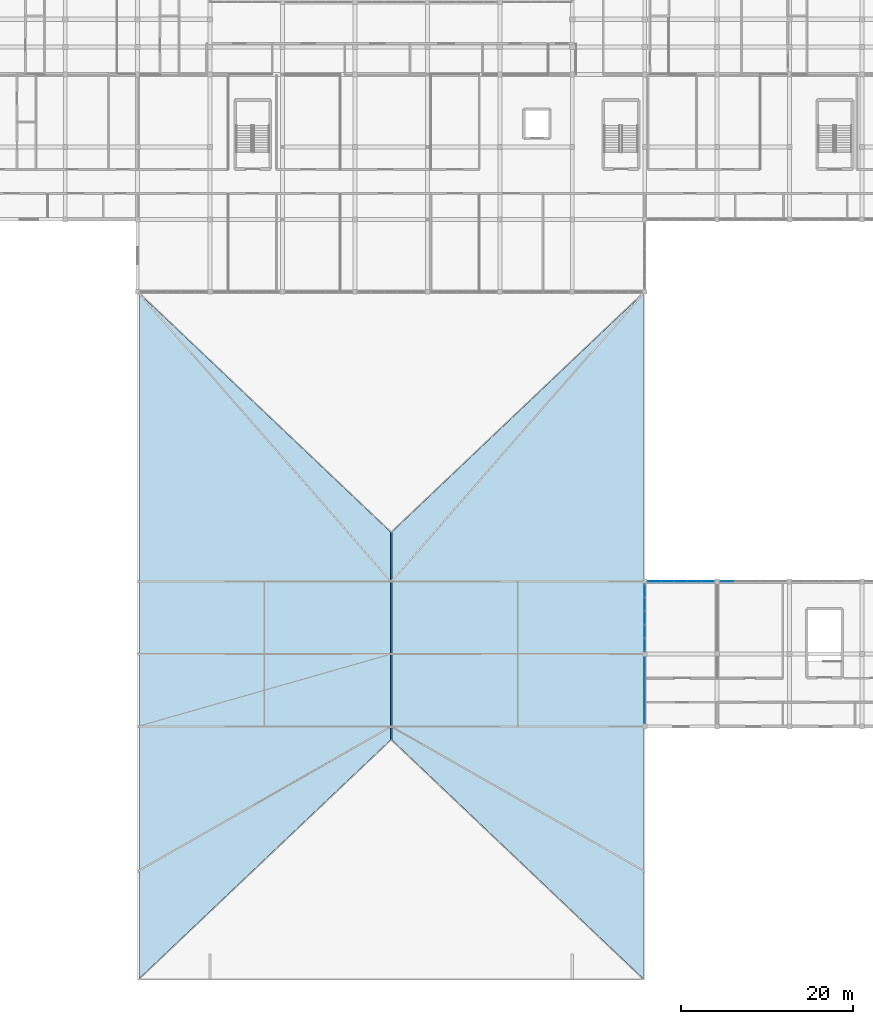
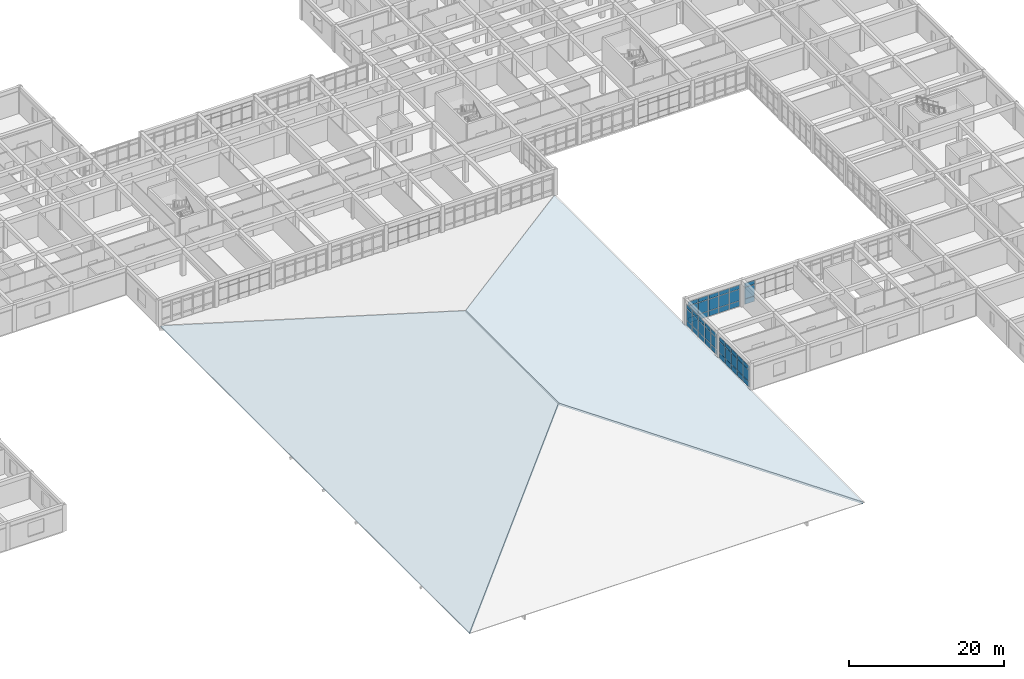
# One storey, part 33 of 77: 48 plates, 2 slabs, 4 elements without a shape of their own.
"""IFC4 building model written with IfcOpenShell, lengths in metres."""

from ifc_helpers import new_model, si_unit, direction, frame, origin, origin_2d, place, context, subcontext, project, spatial, polyline, rectangle, outline, extrude, material, layer, layer_set, type_object, element, aggregate, save


model = new_model("IFC4")

# Units and contexts
model_context = context("Model", 3, precision=1e-05, world=origin(), true_north=direction((0.0, 1.0)))
body_context = subcontext(model_context, "Body", "Model", "MODEL_VIEW")
ifc_project = project(units=[si_unit("LENGTHUNIT", "METRE"), si_unit("AREAUNIT", "SQUARE_METRE"), si_unit("VOLUMEUNIT", "CUBIC_METRE"), si_unit("PLANEANGLEUNIT", "RADIAN"), si_unit("MASSUNIT", "GRAM", prefix="KILO")], contexts=[model_context])

# Site, building, storey
site_placement = place(None, origin())
site = spatial("IfcSite", under=ifc_project, at=site_placement, CompositionType="ELEMENT")
building_placement = place(site_placement, origin())
building = spatial("IfcBuilding", under=site, at=building_placement, Name="Varncliffe General Hospital", CompositionType="ELEMENT")
storey_placement = place(building_placement, frame((0.0, 0.0, 16.199951171875)))
storey = spatial("IfcBuildingStorey", under=building, at=storey_placement, Name="L03", CompositionType="ELEMENT", Elevation=16.199951171875)

# Curtain wall, plates
ifc_material_1 = material(Name="Triple low-E argon insulated vision glazing", Category="glass")
curtain_wall_type_1 = type_object("IfcCurtainWallType", Name="Unitised Glazed Curtain Wall CW23 (7774x3440)", PredefinedType="USERDEFINED", material=ifc_material_1)
curtain_wall_1_placement = place(storey_placement, origin())
curtain_wall_1 = element("IfcCurtainWall", 1, at=curtain_wall_1_placement, inside=storey, type_object=curtain_wall_type_1, Name="L03 Glazed Curtain Wall CW23-160", ObjectType="GLAZED CURTAIN WALL", PredefinedType="USERDEFINED")
ifc_layer_1 = layer(ifc_material_1, 0.035888671875)
ifc_layer_set_1 = layer_set([ifc_layer_1], Name="Triple low-E argon insulated vision glazing")
plate_type_1 = type_object("IfcPlateType", Name="Curtain Wall Glazing Panel CP27 (36mm)", PredefinedType="CURTAIN_PANEL", material=ifc_layer_set_1)
plate_1_placement = place(storey_placement, frame((118.709228515625, 40.800048828125, 0.06005859375), z_axis=(0.0, 0.0, 1.0), x_axis=(1.0, 0.0, 0.0)))
plate_1 = element("IfcPlate", 2, at=plate_1_placement, type_object=plate_type_1, Name="CW23 panel 1.1", PredefinedType="CURTAIN_PANEL", context=body_context, shape_type="SweptSolid", body=[
    extrude(rectangle(XDim=1.4423828125, YDim=0.035888671875, at=origin_2d()), origin(), (0.0, 0.0, 1.0), 0.81005859375),
])
plate_2_placement = place(storey_placement, frame((118.709228515625, 40.800048828125, 0.93017578125), z_axis=(0.0, 0.0, 1.0), x_axis=(1.0, 0.0, 0.0)))
plate_2 = element("IfcPlate", 3, at=plate_2_placement, type_object=plate_type_1, Name="CW23 panel 1.2", PredefinedType="CURTAIN_PANEL", context=body_context, shape_type="SweptSolid", body=[
    extrude(rectangle(XDim=1.4423828125, YDim=0.035888671875, at=origin_2d()), origin(), (0.0, 0.0, 1.0), 1.780029296875),
])
plate_3_placement = place(storey_placement, frame((118.709228515625, 40.800048828125, 2.77001953125), z_axis=(0.0, 0.0, 1.0), x_axis=(1.0, 0.0, 0.0)))
plate_3 = element("IfcPlate", 4, at=plate_3_placement, type_object=plate_type_1, Name="CW23 panel 1.3", PredefinedType="CURTAIN_PANEL", context=body_context, shape_type="SweptSolid", body=[
    extrude(rectangle(XDim=1.4423828125, YDim=0.035888671875, at=origin_2d()), origin(), (0.0, 0.0, 1.0), 0.610107421875),
])
plate_4_placement = place(storey_placement, frame((120.2451171875, 40.800048828125, 0.06005859375), z_axis=(0.0, 0.0, 1.0), x_axis=(1.0, 0.0, 0.0)))
plate_4 = element("IfcPlate", 5, at=plate_4_placement, type_object=plate_type_1, Name="CW23 panel 2.1", PredefinedType="CURTAIN_PANEL", context=body_context, shape_type="SweptSolid", body=[
    extrude(rectangle(XDim=1.479736328125, YDim=0.035888671875, at=origin_2d()), origin(), (0.0, 0.0, 1.0), 0.81005859375),
])
plate_5_placement = place(storey_placement, frame((120.2451171875, 40.800048828125, 0.93017578125), z_axis=(0.0, 0.0, 1.0), x_axis=(1.0, 0.0, 0.0)))
plate_5 = element("IfcPlate", 6, at=plate_5_placement, type_object=plate_type_1, Name="CW23 panel 2.2", PredefinedType="CURTAIN_PANEL", context=body_context, shape_type="SweptSolid", body=[
    extrude(rectangle(XDim=1.479736328125, YDim=0.035888671875, at=origin_2d()), origin(), (0.0, 0.0, 1.0), 1.780029296875),
])
plate_6_placement = place(storey_placement, frame((120.2451171875, 40.800048828125, 2.77001953125), z_axis=(0.0, 0.0, 1.0), x_axis=(1.0, 0.0, 0.0)))
plate_6 = element("IfcPlate", 7, at=plate_6_placement, type_object=plate_type_1, Name="CW23 panel 2.3", PredefinedType="CURTAIN_PANEL", context=body_context, shape_type="SweptSolid", body=[
    extrude(rectangle(XDim=1.479736328125, YDim=0.035888671875, at=origin_2d()), origin(), (0.0, 0.0, 1.0), 0.610107421875),
])
plate_7_placement = place(storey_placement, frame((121.800048828125, 40.800048828125, 0.06005859375), z_axis=(0.0, 0.0, 1.0), x_axis=(1.0, 0.0, 0.0)))
plate_7 = element("IfcPlate", 8, at=plate_7_placement, type_object=plate_type_1, Name="CW23 panel 3.1", PredefinedType="CURTAIN_PANEL", context=body_context, shape_type="SweptSolid", body=[
    extrude(rectangle(XDim=1.479736328125, YDim=0.035888671875, at=origin_2d()), origin(), (0.0, 0.0, 1.0), 0.81005859375),
])
plate_8_placement = place(storey_placement, frame((121.800048828125, 40.800048828125, 0.93017578125), z_axis=(0.0, 0.0, 1.0), x_axis=(1.0, 0.0, 0.0)))
plate_8 = element("IfcPlate", 9, at=plate_8_placement, type_object=plate_type_1, Name="CW23 panel 3.2", PredefinedType="CURTAIN_PANEL", context=body_context, shape_type="SweptSolid", body=[
    extrude(rectangle(XDim=1.479736328125, YDim=0.035888671875, at=origin_2d()), origin(), (0.0, 0.0, 1.0), 1.780029296875),
])
plate_9_placement = place(storey_placement, frame((121.800048828125, 40.800048828125, 2.77001953125), z_axis=(0.0, 0.0, 1.0), x_axis=(1.0, 0.0, 0.0)))
plate_9 = element("IfcPlate", 10, at=plate_9_placement, type_object=plate_type_1, Name="CW23 panel 3.3", PredefinedType="CURTAIN_PANEL", context=body_context, shape_type="SweptSolid", body=[
    extrude(rectangle(XDim=1.479736328125, YDim=0.035888671875, at=origin_2d()), origin(), (0.0, 0.0, 1.0), 0.610107421875),
])
plate_10_placement = place(storey_placement, frame((123.354736328125, 40.800048828125, 0.06005859375), z_axis=(0.0, 0.0, 1.0), x_axis=(1.0, 0.0, 0.0)))
plate_10 = element("IfcPlate", 11, at=plate_10_placement, type_object=plate_type_1, Name="CW23 panel 4.1", PredefinedType="CURTAIN_PANEL", context=body_context, shape_type="SweptSolid", body=[
    extrude(rectangle(XDim=1.479736328125, YDim=0.035888671875, at=origin_2d()), origin(), (0.0, 0.0, 1.0), 0.81005859375),
])
plate_11_placement = place(storey_placement, frame((123.354736328125, 40.800048828125, 0.93017578125), z_axis=(0.0, 0.0, 1.0), x_axis=(1.0, 0.0, 0.0)))
plate_11 = element("IfcPlate", 12, at=plate_11_placement, type_object=plate_type_1, Name="CW23 panel 4.2", PredefinedType="CURTAIN_PANEL", context=body_context, shape_type="SweptSolid", body=[
    extrude(rectangle(XDim=1.479736328125, YDim=0.035888671875, at=origin_2d()), origin(), (0.0, 0.0, 1.0), 1.780029296875),
])
plate_12_placement = place(storey_placement, frame((123.354736328125, 40.800048828125, 2.77001953125), z_axis=(0.0, 0.0, 1.0), x_axis=(1.0, 0.0, 0.0)))
plate_12 = element("IfcPlate", 13, at=plate_12_placement, type_object=plate_type_1, Name="CW23 panel 4.3", PredefinedType="CURTAIN_PANEL", context=body_context, shape_type="SweptSolid", body=[
    extrude(rectangle(XDim=1.479736328125, YDim=0.035888671875, at=origin_2d()), origin(), (0.0, 0.0, 1.0), 0.610107421875),
])
plate_13_placement = place(storey_placement, frame((124.890869140625, 40.800048828125, 0.06005859375), z_axis=(0.0, 0.0, 1.0), x_axis=(1.0, 0.0, 0.0)))
plate_13 = element("IfcPlate", 14, at=plate_13_placement, type_object=plate_type_1, Name="CW23 panel 5.1", PredefinedType="CURTAIN_PANEL", context=body_context, shape_type="SweptSolid", body=[
    extrude(rectangle(XDim=1.4423828125, YDim=0.035888671875, at=origin_2d()), origin(), (0.0, 0.0, 1.0), 0.81005859375),
])
plate_14_placement = place(storey_placement, frame((124.890869140625, 40.800048828125, 0.93017578125), z_axis=(0.0, 0.0, 1.0), x_axis=(1.0, 0.0, 0.0)))
plate_14 = element("IfcPlate", 15, at=plate_14_placement, type_object=plate_type_1, Name="CW23 panel 5.2", PredefinedType="CURTAIN_PANEL", context=body_context, shape_type="SweptSolid", body=[
    extrude(rectangle(XDim=1.4423828125, YDim=0.035888671875, at=origin_2d()), origin(), (0.0, 0.0, 1.0), 1.780029296875),
])
plate_15_placement = place(storey_placement, frame((124.890869140625, 40.800048828125, 2.77001953125), z_axis=(0.0, 0.0, 1.0), x_axis=(1.0, 0.0, 0.0)))
plate_15 = element("IfcPlate", 16, at=plate_15_placement, type_object=plate_type_1, Name="CW23 panel 5.3", PredefinedType="CURTAIN_PANEL", context=body_context, shape_type="SweptSolid", body=[
    extrude(rectangle(XDim=1.4423828125, YDim=0.035888671875, at=origin_2d()), origin(), (0.0, 0.0, 1.0), 0.610107421875),
])
aggregate(curtain_wall_1, [plate_1, plate_2, plate_3, plate_4, plate_5, plate_6, plate_7, plate_8, plate_9, plate_10, plate_11, plate_12, plate_13, plate_14, plate_15])

curtain_wall_type_2 = type_object("IfcCurtainWallType", Name="Unitised Glazed Curtain Wall CW37 (7694x3440)", PredefinedType="USERDEFINED", material=ifc_material_1)
curtain_wall_2_placement = place(storey_placement, origin())
curtain_wall_2 = element("IfcCurtainWall", 17, at=curtain_wall_2_placement, inside=storey, type_object=curtain_wall_type_2, Name="L03 Glazed Curtain Wall CW37-158", ObjectType="GLAZED CURTAIN WALL", PredefinedType="USERDEFINED")
ifc_material_2 = material(Name="Insulated ceramic-fritted spandrel glazing panel", Category="glass")
ifc_layer_2 = layer(ifc_material_2, 0.06396484375)
ifc_layer_set_2 = layer_set([ifc_layer_2], Name="Insulated ceramic-fritted spandrel glazing panel")
plate_type_2 = type_object("IfcPlateType", Name="Curtain Wall Glazing Panel CP41 (64mm)", PredefinedType="CURTAIN_PANEL", material=ifc_layer_set_2)
plate_16_placement = place(storey_placement, frame((117.60009765625, 25.138671875, 0.06005859375), z_axis=(0.0, 0.0, 1.0), x_axis=(0.0, 1.0, 0.0)))
plate_16 = element("IfcPlate", 18, at=plate_16_placement, type_object=plate_type_2, Name="CW37 panel 1.1", PredefinedType="CURTAIN_PANEL", context=body_context, shape_type="SweptSolid", body=[
    extrude(rectangle(XDim=1.44140625, YDim=0.06396484375, at=origin_2d()), origin(), (0.0, 0.0, 1.0), 0.81005859375),
])
plate_17_placement = place(storey_placement, frame((117.60009765625, 25.138671875, 0.93017578125), z_axis=(0.0, 0.0, 1.0), x_axis=(0.0, 1.0, 0.0)))
plate_17 = element("IfcPlate", 19, at=plate_17_placement, type_object=plate_type_2, Name="CW37 panel 1.2", PredefinedType="CURTAIN_PANEL", context=body_context, shape_type="SweptSolid", body=[
    extrude(rectangle(XDim=1.44140625, YDim=0.06396484375, at=origin_2d()), origin(), (0.0, 0.0, 1.0), 1.780029296875),
])
plate_18_placement = place(storey_placement, frame((117.60009765625, 25.138671875, 2.77001953125), z_axis=(0.0, 0.0, 1.0), x_axis=(0.0, 1.0, 0.0)))
plate_18 = element("IfcPlate", 20, at=plate_18_placement, type_object=plate_type_2, Name="CW37 panel 1.3", PredefinedType="CURTAIN_PANEL", context=body_context, shape_type="SweptSolid", body=[
    extrude(rectangle(XDim=1.44140625, YDim=0.06396484375, at=origin_2d()), origin(), (0.0, 0.0, 1.0), 0.610107421875),
])
plate_19_placement = place(storey_placement, frame((117.60009765625, 26.6611328125, 0.06005859375), z_axis=(0.0, 0.0, 1.0), x_axis=(0.0, 1.0, 0.0)))
plate_19 = element("IfcPlate", 21, at=plate_19_placement, type_object=plate_type_2, Name="CW37 panel 2.1", PredefinedType="CURTAIN_PANEL", context=body_context, shape_type="SweptSolid", body=[
    extrude(rectangle(XDim=1.473876953125, YDim=0.06396484375, at=origin_2d()), origin(), (0.0, 0.0, 1.0), 0.81005859375),
])
plate_20_placement = place(storey_placement, frame((117.60009765625, 26.6611328125, 0.93017578125), z_axis=(0.0, 0.0, 1.0), x_axis=(0.0, 1.0, 0.0)))
plate_20 = element("IfcPlate", 22, at=plate_20_placement, type_object=plate_type_2, Name="CW37 panel 2.2", PredefinedType="CURTAIN_PANEL", context=body_context, shape_type="SweptSolid", body=[
    extrude(rectangle(XDim=1.473876953125, YDim=0.06396484375, at=origin_2d()), origin(), (0.0, 0.0, 1.0), 1.780029296875),
])
plate_21_placement = place(storey_placement, frame((117.60009765625, 26.6611328125, 2.77001953125), z_axis=(0.0, 0.0, 1.0), x_axis=(0.0, 1.0, 0.0)))
plate_21 = element("IfcPlate", 23, at=plate_21_placement, type_object=plate_type_2, Name="CW37 panel 2.3", PredefinedType="CURTAIN_PANEL", context=body_context, shape_type="SweptSolid", body=[
    extrude(rectangle(XDim=1.473876953125, YDim=0.06396484375, at=origin_2d()), origin(), (0.0, 0.0, 1.0), 0.610107421875),
])
plate_22_placement = place(storey_placement, frame((117.60009765625, 28.199951171875, 0.06005859375), z_axis=(0.0, 0.0, 1.0), x_axis=(0.0, 1.0, 0.0)))
plate_22 = element("IfcPlate", 24, at=plate_22_placement, type_object=plate_type_2, Name="CW37 panel 3.1", PredefinedType="CURTAIN_PANEL", context=body_context, shape_type="SweptSolid", body=[
    extrude(rectangle(XDim=1.473876953125, YDim=0.06396484375, at=origin_2d()), origin(), (0.0, 0.0, 1.0), 0.81005859375),
])
plate_23_placement = place(storey_placement, frame((117.60009765625, 28.199951171875, 0.93017578125), z_axis=(0.0, 0.0, 1.0), x_axis=(0.0, 1.0, 0.0)))
plate_23 = element("IfcPlate", 25, at=plate_23_placement, type_object=plate_type_2, Name="CW37 panel 3.2", PredefinedType="CURTAIN_PANEL", context=body_context, shape_type="SweptSolid", body=[
    extrude(rectangle(XDim=1.473876953125, YDim=0.06396484375, at=origin_2d()), origin(), (0.0, 0.0, 1.0), 1.780029296875),
])
plate_24_placement = place(storey_placement, frame((117.60009765625, 28.199951171875, 2.77001953125), z_axis=(0.0, 0.0, 1.0), x_axis=(0.0, 1.0, 0.0)))
plate_24 = element("IfcPlate", 26, at=plate_24_placement, type_object=plate_type_2, Name="CW37 panel 3.3", PredefinedType="CURTAIN_PANEL", context=body_context, shape_type="SweptSolid", body=[
    extrude(rectangle(XDim=1.473876953125, YDim=0.06396484375, at=origin_2d()), origin(), (0.0, 0.0, 1.0), 0.610107421875),
])
plate_25_placement = place(storey_placement, frame((117.60009765625, 29.73876953125, 0.06005859375), z_axis=(0.0, 0.0, 1.0), x_axis=(0.0, 1.0, 0.0)))
plate_25 = element("IfcPlate", 27, at=plate_25_placement, type_object=plate_type_2, Name="CW37 panel 4.1", PredefinedType="CURTAIN_PANEL", context=body_context, shape_type="SweptSolid", body=[
    extrude(rectangle(XDim=1.473876953125, YDim=0.06396484375, at=origin_2d()), origin(), (0.0, 0.0, 1.0), 0.81005859375),
])
plate_26_placement = place(storey_placement, frame((117.60009765625, 29.73876953125, 0.93017578125), z_axis=(0.0, 0.0, 1.0), x_axis=(0.0, 1.0, 0.0)))
plate_26 = element("IfcPlate", 28, at=plate_26_placement, type_object=plate_type_2, Name="CW37 panel 4.2", PredefinedType="CURTAIN_PANEL", context=body_context, shape_type="SweptSolid", body=[
    extrude(rectangle(XDim=1.473876953125, YDim=0.06396484375, at=origin_2d()), origin(), (0.0, 0.0, 1.0), 1.780029296875),
])
plate_27_placement = place(storey_placement, frame((117.60009765625, 29.73876953125, 2.77001953125), z_axis=(0.0, 0.0, 1.0), x_axis=(0.0, 1.0, 0.0)))
plate_27 = element("IfcPlate", 29, at=plate_27_placement, type_object=plate_type_2, Name="CW37 panel 4.3", PredefinedType="CURTAIN_PANEL", context=body_context, shape_type="SweptSolid", body=[
    extrude(rectangle(XDim=1.473876953125, YDim=0.06396484375, at=origin_2d()), origin(), (0.0, 0.0, 1.0), 0.610107421875),
])
plate_28_placement = place(storey_placement, frame((117.60009765625, 31.26123046875, 0.06005859375), z_axis=(0.0, 0.0, 1.0), x_axis=(0.0, 1.0, 0.0)))
plate_28 = element("IfcPlate", 30, at=plate_28_placement, type_object=plate_type_2, Name="CW37 panel 5.1", PredefinedType="CURTAIN_PANEL", context=body_context, shape_type="SweptSolid", body=[
    extrude(rectangle(XDim=1.44140625, YDim=0.06396484375, at=origin_2d()), origin(), (0.0, 0.0, 1.0), 0.81005859375),
])
plate_29_placement = place(storey_placement, frame((117.60009765625, 31.26123046875, 0.93017578125), z_axis=(0.0, 0.0, 1.0), x_axis=(0.0, 1.0, 0.0)))
plate_29 = element("IfcPlate", 31, at=plate_29_placement, type_object=plate_type_2, Name="CW37 panel 5.2", PredefinedType="CURTAIN_PANEL", context=body_context, shape_type="SweptSolid", body=[
    extrude(rectangle(XDim=1.44140625, YDim=0.06396484375, at=origin_2d()), origin(), (0.0, 0.0, 1.0), 1.780029296875),
])
plate_30_placement = place(storey_placement, frame((117.60009765625, 31.26123046875, 2.77001953125), z_axis=(0.0, 0.0, 1.0), x_axis=(0.0, 1.0, 0.0)))
plate_30 = element("IfcPlate", 32, at=plate_30_placement, type_object=plate_type_2, Name="CW37 panel 5.3", PredefinedType="CURTAIN_PANEL", context=body_context, shape_type="SweptSolid", body=[
    extrude(rectangle(XDim=1.44140625, YDim=0.06396484375, at=origin_2d()), origin(), (0.0, 0.0, 1.0), 0.610107421875),
])
aggregate(curtain_wall_2, [plate_16, plate_17, plate_18, plate_19, plate_20, plate_21, plate_22, plate_23, plate_24, plate_25, plate_26, plate_27, plate_28, plate_29, plate_30])

curtain_wall_3_placement = place(storey_placement, origin())
curtain_wall_3 = element("IfcCurtainWall", 33, at=curtain_wall_3_placement, inside=storey, type_object=curtain_wall_type_2, Name="L03 Glazed Curtain Wall CW37-161", ObjectType="GLAZED CURTAIN WALL", PredefinedType="USERDEFINED")
plate_31_placement = place(storey_placement, frame((127.138671875, 40.800048828125, 0.06005859375), z_axis=(0.0, 0.0, 1.0), x_axis=(1.0, 0.0, 0.0)))
plate_31 = element("IfcPlate", 34, at=plate_31_placement, type_object=plate_type_2, Name="CW37 panel 1.1", PredefinedType="CURTAIN_PANEL", context=body_context, shape_type="SweptSolid", body=[
    extrude(rectangle(XDim=1.44140625, YDim=0.06396484375, at=origin_2d()), origin(), (0.0, 0.0, 1.0), 0.81005859375),
])
plate_32_placement = place(storey_placement, frame((127.138671875, 40.800048828125, 0.93017578125), z_axis=(0.0, 0.0, 1.0), x_axis=(1.0, 0.0, 0.0)))
plate_32 = element("IfcPlate", 35, at=plate_32_placement, type_object=plate_type_2, Name="CW37 panel 1.2", PredefinedType="CURTAIN_PANEL", context=body_context, shape_type="SweptSolid", body=[
    extrude(rectangle(XDim=1.44140625, YDim=0.06396484375, at=origin_2d()), origin(), (0.0, 0.0, 1.0), 1.780029296875),
])
plate_33_placement = place(storey_placement, frame((127.138671875, 40.800048828125, 2.77001953125), z_axis=(0.0, 0.0, 1.0), x_axis=(1.0, 0.0, 0.0)))
plate_33 = element("IfcPlate", 36, at=plate_33_placement, type_object=plate_type_2, Name="CW37 panel 1.3", PredefinedType="CURTAIN_PANEL", context=body_context, shape_type="SweptSolid", body=[
    extrude(rectangle(XDim=1.44140625, YDim=0.06396484375, at=origin_2d()), origin(), (0.0, 0.0, 1.0), 0.610107421875),
])
aggregate(curtain_wall_3, [plate_31, plate_32, plate_33])

curtain_wall_type_3 = type_object("IfcCurtainWallType", Name="Unitised Glazed Curtain Wall CW83 (7854x3440)", PredefinedType="USERDEFINED", material=ifc_material_1)
curtain_wall_4_placement = place(storey_placement, origin())
curtain_wall_4 = element("IfcCurtainWall", 37, at=curtain_wall_4_placement, inside=storey, type_object=curtain_wall_type_3, Name="L03 Glazed Curtain Wall CW83-159", ObjectType="GLAZED CURTAIN WALL", PredefinedType="USERDEFINED")
ifc_layer_3 = layer(ifc_material_1, 0.028076171875)
ifc_layer_set_3 = layer_set([ifc_layer_3], Name="Triple low-E argon insulated vision glazing")
plate_type_3 = type_object("IfcPlateType", Name="Curtain Wall Glazing Panel CP48 (28mm)", PredefinedType="CURTAIN_PANEL", material=ifc_layer_set_3)
plate_34_placement = place(storey_placement, frame((117.60009765625, 33.47705078125, 0.06494140625), z_axis=(0.0, 0.0, 1.0), x_axis=(0.0, 1.0, 0.0)))
plate_34 = element("IfcPlate", 38, at=plate_34_placement, type_object=plate_type_3, Name="CW83 panel 1.1", PredefinedType="CURTAIN_PANEL", context=body_context, shape_type="SweptSolid", body=[
    extrude(rectangle(XDim=1.458251953125, YDim=0.028076171875, at=origin_2d()), origin(), (0.0, 0.0, 1.0), 0.802490234375),
])
plate_35_placement = place(storey_placement, frame((117.60009765625, 33.47705078125, 0.9326171875), z_axis=(0.0, 0.0, 1.0), x_axis=(0.0, 1.0, 0.0)))
plate_35 = element("IfcPlate", 39, at=plate_35_placement, type_object=plate_type_3, Name="CW83 panel 1.2", PredefinedType="CURTAIN_PANEL", context=body_context, shape_type="SweptSolid", body=[
    extrude(rectangle(XDim=1.458251953125, YDim=0.028076171875, at=origin_2d()), origin(), (0.0, 0.0, 1.0), 1.77490234375),
])
plate_36_placement = place(storey_placement, frame((117.60009765625, 33.47705078125, 2.7724609375), z_axis=(0.0, 0.0, 1.0), x_axis=(0.0, 1.0, 0.0)))
plate_36 = element("IfcPlate", 40, at=plate_36_placement, type_object=plate_type_3, Name="CW83 panel 1.3", PredefinedType="CURTAIN_PANEL", context=body_context, shape_type="SweptSolid", body=[
    extrude(rectangle(XDim=1.458251953125, YDim=0.028076171875, at=origin_2d()), origin(), (0.0, 0.0, 1.0), 0.6025390625),
])
plate_37_placement = place(storey_placement, frame((117.60009765625, 35.029296875, 0.06494140625), z_axis=(0.0, 0.0, 1.0), x_axis=(0.0, 1.0, 0.0)))
plate_37 = element("IfcPlate", 41, at=plate_37_placement, type_object=plate_type_3, Name="CW83 panel 2.1", PredefinedType="CURTAIN_PANEL", context=body_context, shape_type="SweptSolid", body=[
    extrude(rectangle(XDim=1.495849609375, YDim=0.028076171875, at=origin_2d()), origin(), (0.0, 0.0, 1.0), 0.802490234375),
])
plate_38_placement = place(storey_placement, frame((117.60009765625, 35.029296875, 0.9326171875), z_axis=(0.0, 0.0, 1.0), x_axis=(0.0, 1.0, 0.0)))
plate_38 = element("IfcPlate", 42, at=plate_38_placement, type_object=plate_type_3, Name="CW83 panel 2.2", PredefinedType="CURTAIN_PANEL", context=body_context, shape_type="SweptSolid", body=[
    extrude(rectangle(XDim=1.495849609375, YDim=0.028076171875, at=origin_2d()), origin(), (0.0, 0.0, 1.0), 1.77490234375),
])
plate_39_placement = place(storey_placement, frame((117.60009765625, 35.029296875, 2.7724609375), z_axis=(0.0, 0.0, 1.0), x_axis=(0.0, 1.0, 0.0)))
plate_39 = element("IfcPlate", 43, at=plate_39_placement, type_object=plate_type_3, Name="CW83 panel 2.3", PredefinedType="CURTAIN_PANEL", context=body_context, shape_type="SweptSolid", body=[
    extrude(rectangle(XDim=1.495849609375, YDim=0.028076171875, at=origin_2d()), origin(), (0.0, 0.0, 1.0), 0.6025390625),
])
plate_40_placement = place(storey_placement, frame((117.60009765625, 36.60009765625, 0.06494140625), z_axis=(0.0, 0.0, 1.0), x_axis=(0.0, 1.0, 0.0)))
plate_40 = element("IfcPlate", 44, at=plate_40_placement, type_object=plate_type_3, Name="CW83 panel 3.1", PredefinedType="CURTAIN_PANEL", context=body_context, shape_type="SweptSolid", body=[
    extrude(rectangle(XDim=1.495849609375, YDim=0.028076171875, at=origin_2d()), origin(), (0.0, 0.0, 1.0), 0.802490234375),
])
plate_41_placement = place(storey_placement, frame((117.60009765625, 36.60009765625, 0.9326171875), z_axis=(0.0, 0.0, 1.0), x_axis=(0.0, 1.0, 0.0)))
plate_41 = element("IfcPlate", 45, at=plate_41_placement, type_object=plate_type_3, Name="CW83 panel 3.2", PredefinedType="CURTAIN_PANEL", context=body_context, shape_type="SweptSolid", body=[
    extrude(rectangle(XDim=1.495849609375, YDim=0.028076171875, at=origin_2d()), origin(), (0.0, 0.0, 1.0), 1.77490234375),
])
plate_42_placement = place(storey_placement, frame((117.60009765625, 36.60009765625, 2.7724609375), z_axis=(0.0, 0.0, 1.0), x_axis=(0.0, 1.0, 0.0)))
plate_42 = element("IfcPlate", 46, at=plate_42_placement, type_object=plate_type_3, Name="CW83 panel 3.3", PredefinedType="CURTAIN_PANEL", context=body_context, shape_type="SweptSolid", body=[
    extrude(rectangle(XDim=1.495849609375, YDim=0.028076171875, at=origin_2d()), origin(), (0.0, 0.0, 1.0), 0.6025390625),
])
plate_43_placement = place(storey_placement, frame((117.60009765625, 38.1708984375, 0.06494140625), z_axis=(0.0, 0.0, 1.0), x_axis=(0.0, 1.0, 0.0)))
plate_43 = element("IfcPlate", 47, at=plate_43_placement, type_object=plate_type_3, Name="CW83 panel 4.1", PredefinedType="CURTAIN_PANEL", context=body_context, shape_type="SweptSolid", body=[
    extrude(rectangle(XDim=1.495849609375, YDim=0.028076171875, at=origin_2d()), origin(), (0.0, 0.0, 1.0), 0.802490234375),
])
plate_44_placement = place(storey_placement, frame((117.60009765625, 38.1708984375, 0.9326171875), z_axis=(0.0, 0.0, 1.0), x_axis=(0.0, 1.0, 0.0)))
plate_44 = element("IfcPlate", 48, at=plate_44_placement, type_object=plate_type_3, Name="CW83 panel 4.2", PredefinedType="CURTAIN_PANEL", context=body_context, shape_type="SweptSolid", body=[
    extrude(rectangle(XDim=1.495849609375, YDim=0.028076171875, at=origin_2d()), origin(), (0.0, 0.0, 1.0), 1.77490234375),
])
plate_45_placement = place(storey_placement, frame((117.60009765625, 38.1708984375, 2.7724609375), z_axis=(0.0, 0.0, 1.0), x_axis=(0.0, 1.0, 0.0)))
plate_45 = element("IfcPlate", 49, at=plate_45_placement, type_object=plate_type_3, Name="CW83 panel 4.3", PredefinedType="CURTAIN_PANEL", context=body_context, shape_type="SweptSolid", body=[
    extrude(rectangle(XDim=1.495849609375, YDim=0.028076171875, at=origin_2d()), origin(), (0.0, 0.0, 1.0), 0.6025390625),
])
plate_46_placement = place(storey_placement, frame((117.60009765625, 39.722900390625, 0.06494140625), z_axis=(0.0, 0.0, 1.0), x_axis=(0.0, 1.0, 0.0)))
plate_46 = element("IfcPlate", 50, at=plate_46_placement, type_object=plate_type_3, Name="CW83 panel 5.1", PredefinedType="CURTAIN_PANEL", context=body_context, shape_type="SweptSolid", body=[
    extrude(rectangle(XDim=1.458251953125, YDim=0.028076171875, at=origin_2d()), origin(), (0.0, 0.0, 1.0), 0.802490234375),
])
plate_47_placement = place(storey_placement, frame((117.60009765625, 39.722900390625, 0.9326171875), z_axis=(0.0, 0.0, 1.0), x_axis=(0.0, 1.0, 0.0)))
plate_47 = element("IfcPlate", 51, at=plate_47_placement, type_object=plate_type_3, Name="CW83 panel 5.2", PredefinedType="CURTAIN_PANEL", context=body_context, shape_type="SweptSolid", body=[
    extrude(rectangle(XDim=1.458251953125, YDim=0.028076171875, at=origin_2d()), origin(), (0.0, 0.0, 1.0), 1.77490234375),
])
plate_48_placement = place(storey_placement, frame((117.60009765625, 39.722900390625, 2.7724609375), z_axis=(0.0, 0.0, 1.0), x_axis=(0.0, 1.0, 0.0)))
plate_48 = element("IfcPlate", 52, at=plate_48_placement, type_object=plate_type_3, Name="CW83 panel 5.3", PredefinedType="CURTAIN_PANEL", context=body_context, shape_type="SweptSolid", body=[
    extrude(rectangle(XDim=1.458251953125, YDim=0.028076171875, at=origin_2d()), origin(), (0.0, 0.0, 1.0), 0.6025390625),
])
aggregate(curtain_wall_4, [plate_34, plate_35, plate_36, plate_37, plate_38, plate_39, plate_40, plate_41, plate_42, plate_43, plate_44, plate_45, plate_46, plate_47, plate_48])

# Slabs
ifc_material_3 = material(Name="Glulam GL28h (CSA O86 24f-EX, 30 MPa)", Category="wood")
ifc_layer_4 = layer(ifc_material_3, 0.239990234375)
ifc_layer_set_4 = layer_set([ifc_layer_4], Name="Glulam GL28h (CSA O86 24f-EX, 30 MPa)")
slab_type = type_object("IfcSlabType", Name="Roof Slab SL37 (Ext 240mm)", PredefinedType="ROOF", material=ifc_layer_set_4)
for number, where, z_axis, x_axis, name in (
    (53, (58.93994140625, 74.260009765625, 0.0), (-0.29399361974, 0.0, 0.955807382035), (0.0, -1.0, 0.0), "L03 RF-V1-MAIN Hipped Roof Slab W"),
    (54, (117.4599609375, -5.260009765625, 0.0), (0.29399361974, 0.0, 0.955807382035), (0.0, 1.0, 0.0), "L03 RF-V1-MAIN Hipped Roof Slab E"),
):
    element("IfcSlab", number, at=place(storey_placement, frame(where, z_axis=z_axis, x_axis=x_axis)), inside=storey, type_object=slab_type, Name=name, PredefinedType="ROOF", context=body_context, shape_type="SweptSolid", body=[
        extrude(outline(polyline([(0.0, 0.0), (79.52001953125, 0.0), (51.826416015625, 30.50661442219923), (27.693603515625, 30.50661442219923), (0.0, 0.0)])), origin(), (0.0, 0.0, -1.0), 0.239990234375),
    ])

save(model, "model.ifc")
